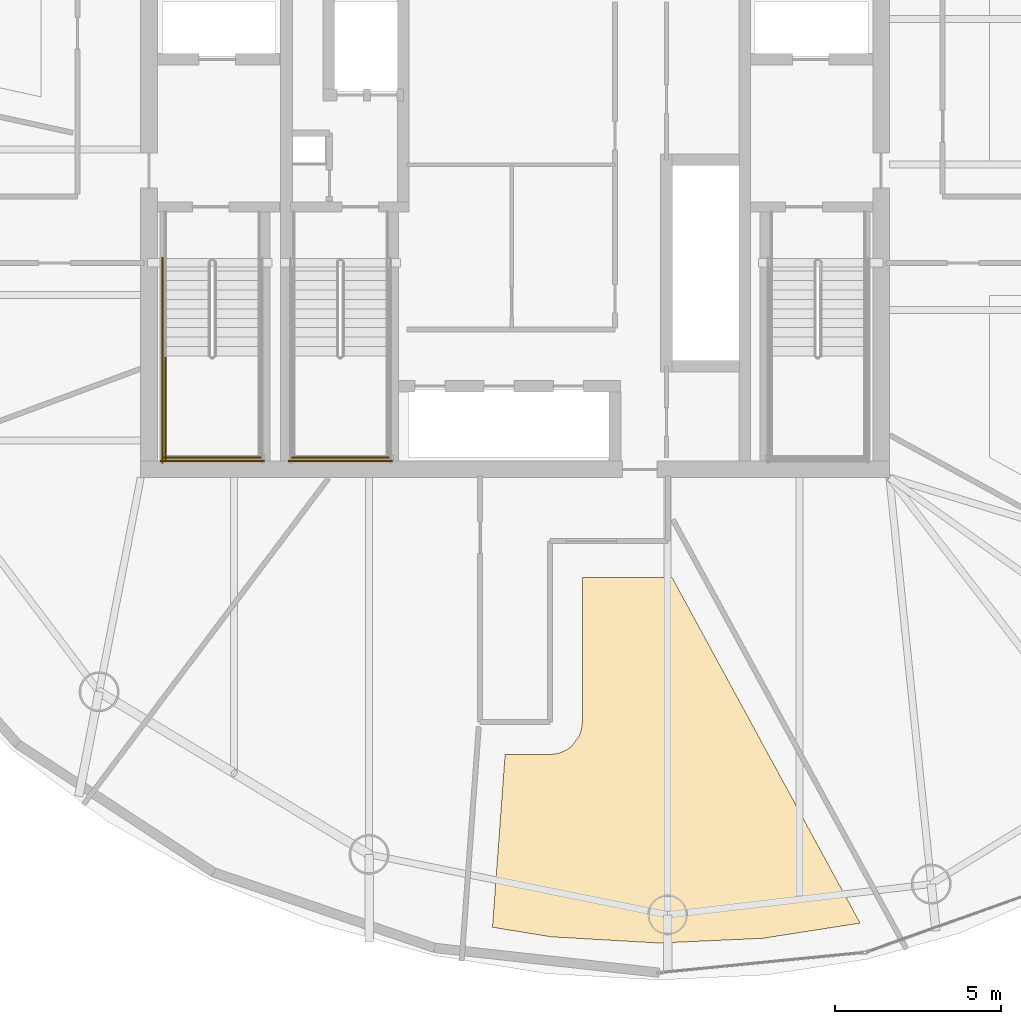
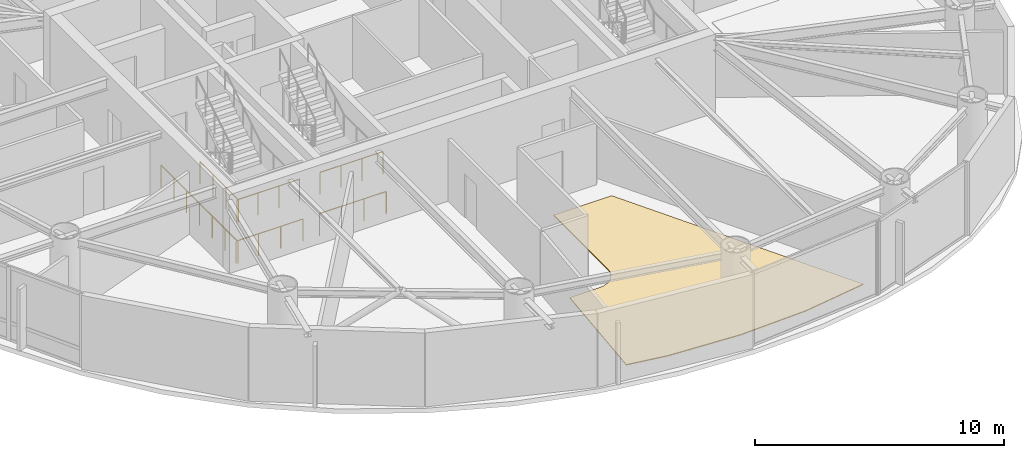
# One storey, part 21 of 23: 6 railings, 1 covering.
"""IFC4 building model written with IfcOpenShell, lengths in metres."""

from ifc_helpers import new_model, si_unit, direction, frame, origin, origin_2d, place, context, subcontext, project, spatial, polyline, circle, outline, extrude, material, layer, layer_set, type_object, element, save


model = new_model("IFC4")

# Units and contexts
model_context = context("Model", 3, precision=1e-05, world=origin(), true_north=direction((0.0, 1.0)))
body_context = subcontext(model_context, "Body", "Model", "MODEL_VIEW")
ifc_project = project(units=[si_unit("LENGTHUNIT", "METRE"), si_unit("AREAUNIT", "SQUARE_METRE"), si_unit("VOLUMEUNIT", "CUBIC_METRE"), si_unit("PLANEANGLEUNIT", "RADIAN"), si_unit("MASSUNIT", "GRAM", prefix="KILO")], contexts=[model_context])

# Site, building, storey
site_placement = place(None, origin())
site = spatial("IfcSite", under=ifc_project, at=site_placement, CompositionType="ELEMENT")
building_placement = place(site_placement, origin())
building = spatial("IfcBuilding", under=site, at=building_placement, Name="Bramvorn Convention Spire", CompositionType="ELEMENT")
storey_placement = place(building_placement, frame((0.0, 0.0, 194.300048828125)))
storey = spatial("IfcBuildingStorey", under=building, at=storey_placement, Name="L49", CompositionType="ELEMENT", Elevation=194.300048828125)

# Covering
ifc_material_1 = material(Name="Calcium-Sulphate Raised Access Office Floor", Category="steel")
ifc_layer = layer(ifc_material_1, 0.044921875)
ifc_layer_set = layer_set([ifc_layer], Name="Calcium-Sulphate Raised Access Office Floor - FLR-RAISED-45")
covering_type = type_object("IfcCoveringType", Name="FLR-RAISED-45", PredefinedType="FLOORING", material=ifc_layer_set)
covering_placement = place(storey_placement, origin())
element("IfcCovering", 1, at=covering_placement, inside=storey, type_object=covering_type, Name="L49 Staff Dining Nook 9 raised floor finish", PredefinedType="FLOORING", context=body_context, shape_type="SweptSolid", body=[
    extrude(outline(polyline([(37.319580078125, 5.0380859375), (39.08203125, 4.751220703125), (42.330810546875, 4.564208984375), (45.4384765625, 4.70556640625), (48.3671875, 5.16357421875), (42.717041015625, 15.550048828125), (40.02001953125, 15.550048828125), (40.02001953125, 11.199951171875), (39.9921875, 10.97021484375), (39.92919921875, 10.790771484375), (39.697021484375, 10.477294921875), (39.543701171875, 10.364990234375), (39.29150390625, 10.260498046875), (39.050048828125, 10.22998046875), (37.69921875, 10.22998046875), (37.319580078125, 5.0380859375)])), origin(), (0.0, 0.0, 1.0), 0.044921875),
])

# Railings
ifc_material_2 = material(Name="Painted Steel Balustrade & Guardrail", Category="steel")
railing_type = type_object("IfcRailingType", Name="RL-STAIR-GUARD-1100", PredefinedType="GUARDRAIL", material=ifc_material_2)
railing_1_placement = place(storey_placement, frame((27.5, 22.199951171875, 1.925048828125)))
element("IfcRailing", 2, at=railing_1_placement, inside=storey, type_object=railing_type, Name="L49 ST1 stair guard 3", PredefinedType="GUARDRAIL", context=body_context, shape_type="SweptSolid", body=[
    extrude(circle(Radius=0.02392578125, at=origin_2d()), frame((0.0, 0.0, 1.076171875), z_axis=(0.0, -1.0, 0.0), x_axis=(1.0, 0.0, 0.0)), (0.0, 0.0, 1.0), 3.099853515625),
    extrude(circle(Radius=0.02099609375, at=origin_2d()), origin(), (0.0, 0.0, 1.0), 1.052001953125),
    extrude(circle(Radius=0.02099609375, at=origin_2d()), frame((0.0, -1.033203125, 0.0)), (0.0, 0.0, 1.0), 1.052001953125),
    extrude(circle(Radius=0.02099609375, at=origin_2d()), frame((0.0, -2.066650390625, 0.0)), (0.0, 0.0, 1.0), 1.052001953125),
    extrude(circle(Radius=0.02099609375, at=origin_2d()), frame((0.0, -3.099853515625, 0.0)), (0.0, 0.0, 1.0), 1.052001953125),
])
railing_2_placement = place(storey_placement, frame((27.449951171875, 19.14990234375, 1.925048828125)))
element("IfcRailing", 3, at=railing_2_placement, inside=storey, type_object=railing_type, Name="L49 ST1 stair guard 5", PredefinedType="GUARDRAIL", context=body_context, shape_type="SweptSolid", body=[
    extrude(circle(Radius=0.02392578125, at=origin_2d()), frame((0.0, 0.0, 1.076171875), z_axis=(1.0, 0.0, 0.0), x_axis=(0.0, 1.0, 0.0)), (0.0, 0.0, 1.0), 2.900146484375),
    extrude(circle(Radius=0.02099609375, at=origin_2d()), origin(), (0.0, 0.0, 1.0), 1.052001953125),
    extrude(circle(Radius=0.02099609375, at=origin_2d()), frame((0.966796875, 0.0, 0.0)), (0.0, 0.0, 1.0), 1.052001953125),
    extrude(circle(Radius=0.02099609375, at=origin_2d()), frame((1.933349609375, 0.0, 0.0)), (0.0, 0.0, 1.0), 1.052001953125),
    extrude(circle(Radius=0.02099609375, at=origin_2d()), frame((2.900146484375, 0.0, 0.0)), (0.0, 0.0, 1.0), 1.052001953125),
])
railing_3_placement = place(storey_placement, frame((27.39990234375, 25.14990234375, 0.0)))
element("IfcRailing", 4, at=railing_3_placement, inside=storey, type_object=railing_type, Name="L49 ST1 stair guard 10", PredefinedType="GUARDRAIL", context=body_context, shape_type="SweptSolid", body=[
    extrude(circle(Radius=0.02392578125, at=origin_2d()), frame((0.0, 0.0, 1.076171875), z_axis=(0.0, -1.0, 0.0), x_axis=(1.0, 0.0, 0.0)), (0.0, 0.0, 1.0), 6.14990234375),
    extrude(circle(Radius=0.02099609375, at=origin_2d()), origin(), (0.0, 0.0, 1.0), 1.052001953125),
    extrude(circle(Radius=0.02099609375, at=origin_2d()), frame((0.0, -1.02490234375, 0.0)), (0.0, 0.0, 1.0), 1.052001953125),
    extrude(circle(Radius=0.02099609375, at=origin_2d()), frame((0.0, -2.050048828125, 0.0)), (0.0, 0.0, 1.0), 1.052001953125),
    extrude(circle(Radius=0.02099609375, at=origin_2d()), frame((0.0, -3.074951171875, 0.0)), (0.0, 0.0, 1.0), 1.052001953125),
    extrude(circle(Radius=0.02099609375, at=origin_2d()), frame((0.0, -4.099853515625, 0.0)), (0.0, 0.0, 1.0), 1.052001953125),
    extrude(circle(Radius=0.02099609375, at=origin_2d()), frame((0.0, -5.125, 0.0)), (0.0, 0.0, 1.0), 1.052001953125),
    extrude(circle(Radius=0.02099609375, at=origin_2d()), frame((0.0, -6.14990234375, 0.0)), (0.0, 0.0, 1.0), 1.052001953125),
])
railing_4_placement = place(storey_placement, frame((27.35009765625, 19.050048828125, 0.0)))
element("IfcRailing", 5, at=railing_4_placement, inside=storey, type_object=railing_type, Name="L49 ST1 stair guard 12", PredefinedType="GUARDRAIL", context=body_context, shape_type="SweptSolid", body=[
    extrude(circle(Radius=0.02392578125, at=origin_2d()), frame((0.0, 0.0, 1.076171875), z_axis=(1.0, 0.0, 0.0), x_axis=(0.0, 1.0, 0.0)), (0.0, 0.0, 1.0), 3.099853515625),
    extrude(circle(Radius=0.02099609375, at=origin_2d()), origin(), (0.0, 0.0, 1.0), 1.052001953125),
    extrude(circle(Radius=0.02099609375, at=origin_2d()), frame((1.033203125, 0.0, 0.0)), (0.0, 0.0, 1.0), 1.052001953125),
    extrude(circle(Radius=0.02099609375, at=origin_2d()), frame((2.066650390625, 0.0, 0.0)), (0.0, 0.0, 1.0), 1.052001953125),
    extrude(circle(Radius=0.02099609375, at=origin_2d()), frame((3.099853515625, 0.0, 0.0)), (0.0, 0.0, 1.0), 1.052001953125),
])
railing_5_placement = place(storey_placement, frame((31.300048828125, 19.14990234375, 1.925048828125)))
element("IfcRailing", 6, at=railing_5_placement, inside=storey, type_object=railing_type, Name="L49 ST3 stair guard 5", PredefinedType="GUARDRAIL", context=body_context, shape_type="SweptSolid", body=[
    extrude(circle(Radius=0.02392578125, at=origin_2d()), frame((0.0, 0.0, 1.076171875), z_axis=(1.0, 0.0, 0.0), x_axis=(0.0, 1.0, 0.0)), (0.0, 0.0, 1.0), 2.89990234375),
    extrude(circle(Radius=0.02099609375, at=origin_2d()), origin(), (0.0, 0.0, 1.0), 1.052001953125),
    extrude(circle(Radius=0.02099609375, at=origin_2d()), frame((0.966552734375, 0.0, 0.0)), (0.0, 0.0, 1.0), 1.052001953125),
    extrude(circle(Radius=0.02099609375, at=origin_2d()), frame((1.933349609375, 0.0, 0.0)), (0.0, 0.0, 1.0), 1.052001953125),
    extrude(circle(Radius=0.02099609375, at=origin_2d()), frame((2.89990234375, 0.0, 0.0)), (0.0, 0.0, 1.0), 1.052001953125),
])
railing_6_placement = place(storey_placement, frame((31.199951171875, 19.050048828125, 0.0)))
element("IfcRailing", 7, at=railing_6_placement, inside=storey, type_object=railing_type, Name="L49 ST3 stair guard 12", PredefinedType="GUARDRAIL", context=body_context, shape_type="SweptSolid", body=[
    extrude(circle(Radius=0.02392578125, at=origin_2d()), frame((0.0, 0.0, 1.076171875), z_axis=(1.0, 0.0, 0.0), x_axis=(0.0, 1.0, 0.0)), (0.0, 0.0, 1.0), 3.10009765625),
    extrude(circle(Radius=0.02099609375, at=origin_2d()), origin(), (0.0, 0.0, 1.0), 1.052001953125),
    extrude(circle(Radius=0.02099609375, at=origin_2d()), frame((1.033447265625, 0.0, 0.0)), (0.0, 0.0, 1.0), 1.052001953125),
    extrude(circle(Radius=0.02099609375, at=origin_2d()), frame((2.066650390625, 0.0, 0.0)), (0.0, 0.0, 1.0), 1.052001953125),
    extrude(circle(Radius=0.02099609375, at=origin_2d()), frame((3.10009765625, 0.0, 0.0)), (0.0, 0.0, 1.0), 1.052001953125),
])

save(model, "model.ifc")
